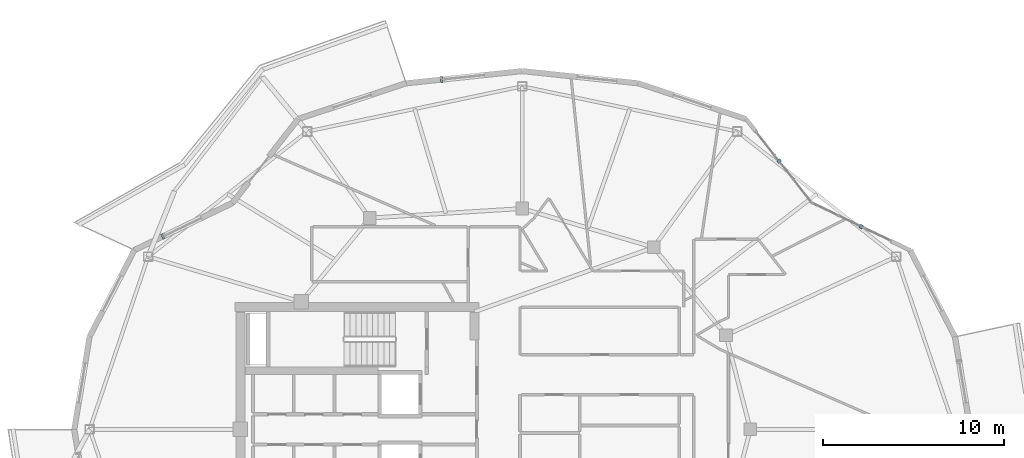
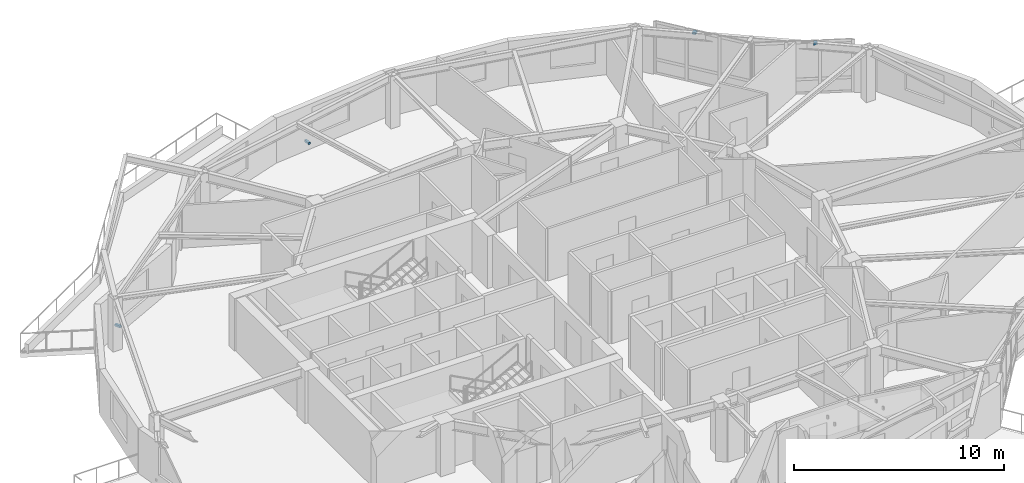
# One storey, part 17 of 21: 4 discrete accessories.
"""IFC4 building model written with IfcOpenShell, lengths in metres."""

import ifcopenshell
import ifcopenshell.guid

model = None  # the IFC model being written
_history = None  # IfcOwnerHistory: only IFC2X3 demands one
_inside = {}  # id of a spatial element -> (the spatial element, [elements in it])
_under = {}  # id of a project, library or spatial element -> (it, [spatial elements below it])
_declared = {}  # id of a project -> (the project, [libraries it declares])
_typed = {}  # id of a type object -> (the type object, [elements of that type])
_made_of = {}  # id of a material, layer set ... -> (it, [elements and type objects made of it])


def new_model(schema):
    """Start an empty IFC model of exactly this schema.

    Asked for "IFC4X3", IfcOpenShell would pick the latest addendum, in which some entities
    have other attributes; the version numbers below select the first issue.
    IFC2X3 requires an IfcOwnerHistory on every rooted entity: one is made here for all.
    """
    global model, _history
    if schema == "IFC4X3":
        model = ifcopenshell.file(schema_version=(4, 3, 0, 0))
    else:
        model = ifcopenshell.file(schema=schema)
    _inside.clear()
    _under.clear()
    _declared.clear()
    _typed.clear()
    _made_of.clear()
    _history = None
    if model.schema == "IFC2X3":
        org = make("IfcOrganization", Name="unknown")
        user = make(
            "IfcPersonAndOrganization",
            ThePerson=make("IfcPerson", FamilyName="unknown"),
            TheOrganization=org,
        )
        app = make(
            "IfcApplication",
            ApplicationDeveloper=org,
            Version="unknown",
            ApplicationFullName="unknown",
            ApplicationIdentifier="unknown",
        )
        _history = make(
            "IfcOwnerHistory",
            OwningUser=user,
            OwningApplication=app,
            ChangeAction="ADDED",
            CreationDate=0,
        )
    return model


def make(cls, **values):
    """One entity of the class cls with the attributes given. An attribute that is None is left unset."""
    return model.create_entity(
        cls, **{name: value for name, value in values.items() if value is not None}
    )


def rooted(cls, **values):
    """An entity with a GlobalId (a new one), such as an element, a storey or a relation."""
    return make(cls, GlobalId=ifcopenshell.guid.new(), OwnerHistory=_history, **values)


def si_unit(unit_type, name, prefix=None):
    """IfcSIUnit, for example si_unit("LENGTHUNIT", "METRE", prefix="MILLI")."""
    return make("IfcSIUnit", UnitType=unit_type, Prefix=prefix, Name=name)


def assignment(units):
    """IfcUnitAssignment: the units of a project."""
    return None if units is None else make("IfcUnitAssignment", Units=units)


def point(xyz):
    """IfcCartesianPoint."""
    return None if xyz is None else make("IfcCartesianPoint", Coordinates=xyz)


def direction(xyz):
    """IfcDirection."""
    return None if xyz is None else make("IfcDirection", DirectionRatios=xyz)


def frame(location, z_axis=None, x_axis=None):
    """IfcAxis2Placement3D, a coordinate frame: its origin and axes. An axis left out is left unset."""
    return make(
        "IfcAxis2Placement3D",
        Location=point(location),
        Axis=direction(z_axis),
        RefDirection=direction(x_axis),
    )


def frame_2d(location, x_axis=None):
    """IfcAxis2Placement2D, a coordinate frame in the plane: its origin and x axis."""
    return make(
        "IfcAxis2Placement2D", Location=point(location), RefDirection=direction(x_axis)
    )


def origin():
    """The frame at (0, 0, 0) with its axes left unset."""
    return frame((0.0, 0.0, 0.0))


def origin_2d():
    """The frame at (0, 0) in the plane with its x axis left unset."""
    return frame_2d((0.0, 0.0))


def place(relative_to, where):
    """IfcLocalPlacement: puts the frame where relative to a parent placement (None: the world)."""
    return make(
        "IfcLocalPlacement", PlacementRelTo=relative_to, RelativePlacement=where
    )


def context(
    kind, dimensions, precision=None, world=None, true_north=None, identifier=None
):
    """IfcGeometricRepresentationContext, for example the 3D "Model" context."""
    return make(
        "IfcGeometricRepresentationContext",
        ContextIdentifier=identifier,
        ContextType=kind,
        CoordinateSpaceDimension=dimensions,
        Precision=precision,
        WorldCoordinateSystem=world,
        TrueNorth=true_north,
    )


def subcontext(parent, identifier, kind, view, scale=None):
    """IfcGeometricRepresentationSubContext, for example "Body" below "Model"."""
    return make(
        "IfcGeometricRepresentationSubContext",
        ContextIdentifier=identifier,
        ContextType=kind,
        ParentContext=parent,
        TargetScale=scale,
        TargetView=view,
    )


def project(units=None, contexts=None):
    """IfcProject with its units and contexts."""
    return rooted(
        "IfcProject",
        Name="project",
        RepresentationContexts=contexts,
        UnitsInContext=assignment(units),
    )


def spatial(cls, under=None, at=None, **own):
    """A site, building, storey or space (cls), placed at a placement, below another one or the project."""
    s = rooted(cls, ObjectPlacement=at, **own)
    if under is not None:
        _under.setdefault(under.id(), (under, []))[1].append(s)
    return s


def profile(cls, at=None, kind="AREA", **sizes):
    """A parametric profile (cls). Its sizes go by their IFC names, for example OverallWidth=200.0."""
    return make(cls, ProfileType=kind, Position=at, **sizes)


def rectangle(**sizes):
    """IfcRectangleProfileDef."""
    return profile("IfcRectangleProfileDef", **sizes)


def extrude(swept, where, along, depth):
    """IfcExtrudedAreaSolid: the profile swept, set in the frame where, extruded along a direction by depth."""
    return make(
        "IfcExtrudedAreaSolid",
        SweptArea=swept,
        Position=where,
        ExtrudedDirection=direction(along),
        Depth=depth,
    )


def shape(context_of_items, identifier, shape_type, items):
    """IfcShapeRepresentation: the items that make up one representation, for example the "Body"."""
    return make(
        "IfcShapeRepresentation",
        ContextOfItems=context_of_items,
        RepresentationIdentifier=identifier,
        RepresentationType=shape_type,
        Items=items,
    )


def material(Name=None, Category=None):
    """IfcMaterial."""
    return make("IfcMaterial", Name=Name, Category=Category)


def made_of(thing, what):
    """Note that an element or type object is made of a material, layer set ...; save() writes the relation."""
    if what is not None:
        _made_of.setdefault(what.id(), (what, []))[1].append(thing)
    return thing


def type_object(cls, material=None, **own):
    """A type object (cls), such as IfcWallType, which elements share."""
    return made_of(rooted(cls, **own), material)


def element(
    cls,
    number,
    at=None,
    inside=None,
    cuts=None,
    type_object=None,
    material=None,
    context=None,
    identifier="Body",
    shape_type=None,
    held_by="IfcProductDefinitionShape",
    body=None,
    shapes=None,
    **own,
):
    """One element of the class cls, such as IfcWall. Its Tag is "e" and its number.

    at: its placement. inside: the storey or other place that contains it. cuts: it is an
    opening in that element (IfcRelVoidsElement). A single representation is given by context,
    identifier, shape_type and body (its items); several are given by shapes. held_by: the class
    of the entity that holds the representations. save() writes the other relations.
    """
    e = rooted(cls, Tag="e%d" % number, ObjectPlacement=at, **own)
    if body is not None:
        shapes = [shape(context, identifier, shape_type, body)]
    if shapes is not None:
        e.Representation = make(held_by, Representations=shapes)
    if inside is not None:
        _inside.setdefault(inside.id(), (inside, []))[1].append(e)
    if cuts is not None:
        rooted(
            "IfcRelVoidsElement", RelatingBuildingElement=cuts, RelatedOpeningElement=e
        )
    if type_object is not None:
        _typed.setdefault(type_object.id(), (type_object, []))[1].append(e)
    return made_of(e, material)


def aggregate(whole, parts):
    """IfcRelAggregates: a whole, such as a stair, and the parts it consists of."""
    return rooted("IfcRelAggregates", RelatingObject=whole, RelatedObjects=parts)


def save(model, path):
    """Write the relations noted so far, then the file.

    IfcRelAggregates (storeys below a building ...), IfcRelContainedInSpatialStructure (elements
    in a storey), IfcRelDefinesByType, IfcRelAssociatesMaterial and IfcRelDeclares: one each for
    every whole, place, type object, material and project.
    """
    for whole, parts in _under.values():
        aggregate(whole, parts)
    for where, things in _inside.values():
        rooted(
            "IfcRelContainedInSpatialStructure",
            RelatedElements=things,
            RelatingStructure=where,
        )
    for kind, things in _typed.values():
        rooted("IfcRelDefinesByType", RelatedObjects=things, RelatingType=kind)
    for what, things in _made_of.values():
        rooted("IfcRelAssociatesMaterial", RelatedObjects=things, RelatingMaterial=what)
    for by, libraries in _declared.values():
        rooted("IfcRelDeclares", RelatingContext=by, RelatedDefinitions=libraries)
    model.write(path)


model = new_model("IFC4")

# Units and contexts
model_context = context("Model", 3, precision=1e-05, world=origin(), true_north=direction((0.0, 1.0)))
body_context = subcontext(model_context, "Body", "Model", "MODEL_VIEW")
ifc_project = project(units=[si_unit("LENGTHUNIT", "METRE"), si_unit("AREAUNIT", "SQUARE_METRE"), si_unit("VOLUMEUNIT", "CUBIC_METRE"), si_unit("PLANEANGLEUNIT", "RADIAN"), si_unit("MASSUNIT", "GRAM", prefix="KILO")], contexts=[model_context])

# Site, building, storey
site_placement = place(None, origin())
site = spatial("IfcSite", under=ifc_project, at=site_placement, CompositionType="ELEMENT")
building_placement = place(site_placement, origin())
building = spatial("IfcBuilding", under=site, at=building_placement, Name="Kolvaren Gate Tower and Convention Centre", CompositionType="ELEMENT")
storey_placement = place(building_placement, frame((0.0, 0.0, 226.10009765625)))
storey = spatial("IfcBuildingStorey", under=building, at=storey_placement, Name="L60", CompositionType="ELEMENT", Elevation=226.10009765625)

# Discrete accessories
ifc_material = material(Name="Anodized Architectural Aluminium Alloy 6063-T6", Category="aluminium")
discrete_accessory_type = type_object("IfcDiscreteAccessoryType", Name="ARCH-ACC-BRACKET-120", PredefinedType="BRACKET", material=ifc_material)
for number, where, z_axis, x_axis, name in (
    (1, (48.845703125, 38.20361328125, 2.849853515625), (0.0, 0.0, 1.0), (0.90135914581, -0.433072384555, 0.0), "Solar Screen Spandrel Anchor Bracket BK-L60-02"),
    (2, (44.316162109375, 41.827392578125, 2.849853515625), (0.0, 0.0, 1.0), (0.616434119112, -0.787406487651, 0.0), "Solar Screen Spandrel Anchor Bracket BK-L60-03"),
):
    element("IfcDiscreteAccessory", number, at=place(storey_placement, frame(where, z_axis=z_axis, x_axis=x_axis)), inside=storey, type_object=discrete_accessory_type, Name=name, PredefinedType="BRACKET", context=body_context, shape_type="SweptSolid", body=[
        extrude(rectangle(XDim=0.179931640625, YDim=0.219970703125, at=origin_2d()), origin(), (0.0, 0.0, 1.0), 0.1201171875),
    ])
for number, where, z_axis, x_axis, name in (
    (3, (25.66943359375, 46.330810546875, 0.289794921875), (0.0, 0.0, 1.0), (0.994498884311, 0.104747167526, 0.0), "Ceramic Fin Wall Anchor Bracket FBK-L60-06"),
    (4, (10.268310546875, 37.657958984375, 0.289794921875), (0.0, 0.0, 1.0), (0.90135914581, 0.433072384555, 0.0), "Ceramic Fin Wall Anchor Bracket FBK-L60-09"),
):
    element("IfcDiscreteAccessory", number, at=place(storey_placement, frame(where, z_axis=z_axis, x_axis=x_axis)), inside=storey, type_object=discrete_accessory_type, Name=name, PredefinedType="BRACKET", context=body_context, shape_type="SweptSolid", body=[
        extrude(rectangle(XDim=0.1201171875, YDim=0.320068359375, at=origin_2d()), origin(), (0.0, 0.0, 1.0), 0.1201171875),
    ])

save(model, "model.ifc")
